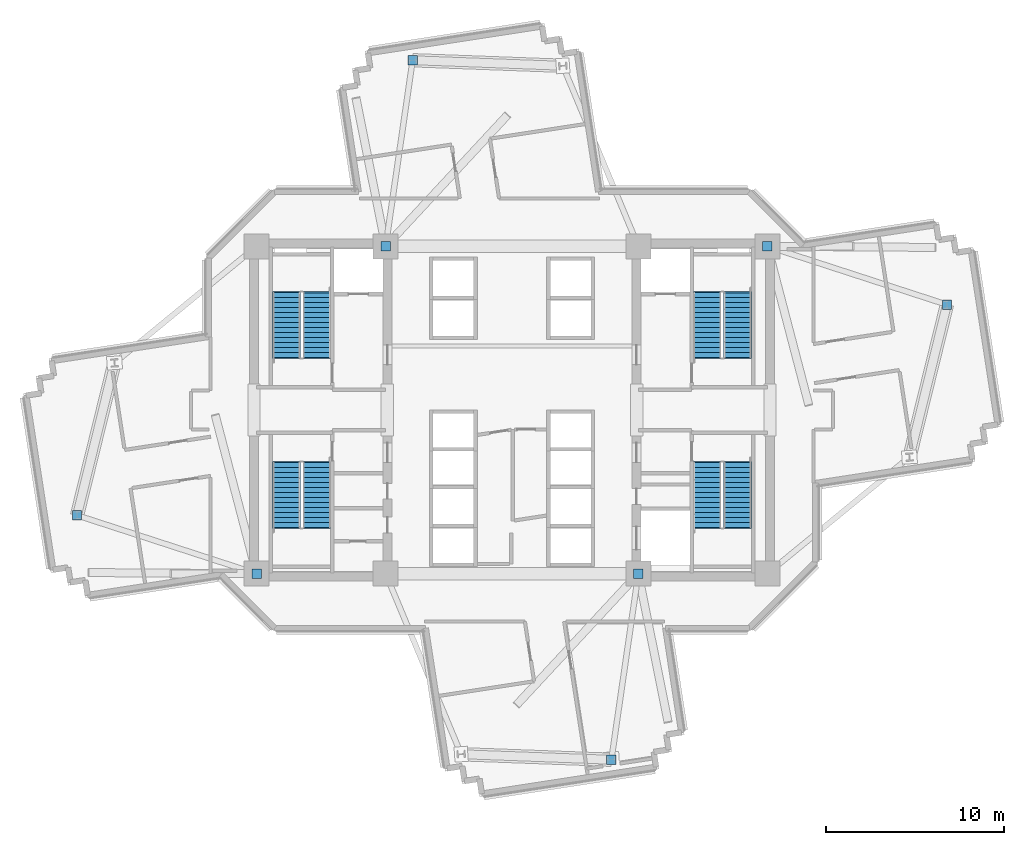
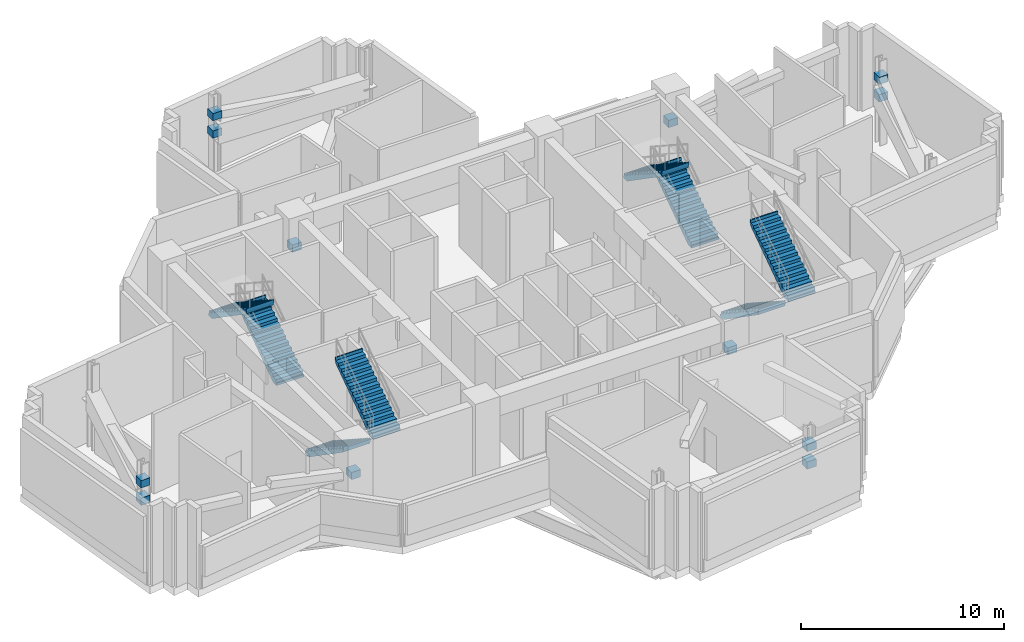
# One storey, part 6 of 10: 12 discrete accessories, 8 stair flights, 4 elements without a shape of their own.
"""IFC4 building model written with IfcOpenShell, lengths in metres."""

from ifc_helpers import new_model, si_unit, direction, frame, origin, origin_2d, place, context, subcontext, project, spatial, polyline, rectangle, outline, extrude, source, transform, mapped, material, type_object, element, aggregate, save


model = new_model("IFC4")

# Units and contexts
model_context = context("Model", 3, precision=1e-05, world=origin(), true_north=direction((0.0, 1.0)))
body_context = subcontext(model_context, "Body", "Model", "MODEL_VIEW")
ifc_project = project(units=[si_unit("LENGTHUNIT", "METRE"), si_unit("AREAUNIT", "SQUARE_METRE"), si_unit("VOLUMEUNIT", "CUBIC_METRE"), si_unit("PLANEANGLEUNIT", "RADIAN"), si_unit("MASSUNIT", "GRAM", prefix="KILO")], contexts=[model_context])

# Site, building, storey
site_placement = place(None, origin())
site = spatial("IfcSite", under=ifc_project, at=site_placement, CompositionType="ELEMENT")
building_placement = place(site_placement, origin())
building = spatial("IfcBuilding", under=site, at=building_placement, Name="Zahravan Cultural Tower", CompositionType="ELEMENT")
storey_placement = place(building_placement, frame((0.0, 0.0, 125.699951171875)))
storey = spatial("IfcBuildingStorey", under=building, at=storey_placement, Name="L28", CompositionType="ELEMENT", Elevation=125.699951171875)

# Stair, stair flights
ifc_material_1 = material(Name="Concrete C45/55", Category="concrete")
stair_type = type_object("IfcStairType", Name="STR-DL-1550-510", PredefinedType="HALF_TURN_STAIR", material=ifc_material_1)
stair_1_placement = place(storey_placement, origin())
stair_1 = element("IfcStair", 1, at=stair_1_placement, inside=storey, type_object=stair_type, Name="L28 West Core North Exit Stair ST-W1", PredefinedType="HALF_TURN_STAIR")
stair_flight_type = type_object("IfcStairFlightType", Name="FLG-DL-1550-510", PredefinedType="STRAIGHT", material=ifc_material_1)
stair_flight_1_placement = place(storey_placement, frame((25.02490234375, 29.949951171875, 0.0), z_axis=(0.0, 0.0, 1.0), x_axis=(0.0, 1.0, 0.0)))
stair_flight_1 = element("IfcStairFlight", 2, at=stair_flight_1_placement, type_object=stair_flight_type, Name="ST-W1 flight 1", NumberOfRisers=14, NumberOfTreads=13, PredefinedType="STRAIGHT", RiserHeight=0.182142857, TreadLength=0.28, context=body_context, shape_type="SweptSolid", body=[
    extrude(outline(polyline([(-0.06494140625, -0.139892578125), (-0.06494140625, 0.0), (0.0, 0.0), (0.0, 0.18212890625), (0.280029296875, 0.18212890625), (0.280029296875, 0.3642578125), (0.56005859375, 0.3642578125), (0.56005859375, 0.54638671875), (0.840087890625, 0.54638671875), (0.840087890625, 0.728515625), (1.1201171875, 0.728515625), (1.1201171875, 0.91064453125), (1.39990234375, 0.91064453125), (1.39990234375, 1.0927734375), (1.679931640625, 1.0927734375), (1.679931640625, 1.27490234375), (1.9599609375, 1.27490234375), (1.9599609375, 1.45703125), (2.239990234375, 1.45703125), (2.239990234375, 1.639404296875), (2.52001953125, 1.639404296875), (2.52001953125, 1.821533203125), (2.800048828125, 1.821533203125), (2.800048828125, 2.003662109375), (3.080078125, 2.003662109375), (3.080078125, 2.185791015625), (3.360107421875, 2.185791015625), (3.360107421875, 2.367919921875), (3.639892578125, 2.367919921875), (3.639892578125, 2.550048828125), (3.705078125, 2.550048828125), (3.705078125, 2.400146484375), (3.639892578125, 2.18896484375), (0.27490234375, -0.139892578125), (-0.06494140625, -0.139892578125)])), frame((0.0, 0.77490234375, 0.0), z_axis=(0.0, -1.0, 0.0), x_axis=(1.0, 0.0, 0.0)), (0.0, 0.0, 1.0), 1.550048828125),
])
stair_flight_2_placement = place(storey_placement, frame((23.324951171875, 33.590087890625, 2.550048828125), z_axis=(0.0, 0.0, 1.0), x_axis=(0.0, -1.0, 0.0)))
stair_flight_2 = element("IfcStairFlight", 3, at=stair_flight_2_placement, type_object=stair_flight_type, Name="ST-W1 flight 2", NumberOfRisers=14, NumberOfTreads=13, PredefinedType="STRAIGHT", RiserHeight=0.182142857, TreadLength=0.28, context=body_context, shape_type="SweptSolid", body=[
    extrude(outline(polyline([(-0.06494140625, -0.139892578125), (-0.06494140625, 0.0), (0.0, 0.0), (0.0, 0.18212890625), (0.280029296875, 0.18212890625), (0.280029296875, 0.3642578125), (0.56005859375, 0.3642578125), (0.56005859375, 0.54638671875), (0.840087890625, 0.54638671875), (0.840087890625, 0.728515625), (1.1201171875, 0.728515625), (1.1201171875, 0.91064453125), (1.39990234375, 0.91064453125), (1.39990234375, 1.0927734375), (1.679931640625, 1.0927734375), (1.679931640625, 1.27490234375), (1.9599609375, 1.27490234375), (1.9599609375, 1.45703125), (2.239990234375, 1.45703125), (2.239990234375, 1.639404296875), (2.52001953125, 1.639404296875), (2.52001953125, 1.821533203125), (2.800048828125, 1.821533203125), (2.800048828125, 2.003662109375), (3.080078125, 2.003662109375), (3.080078125, 2.185791015625), (3.360107421875, 2.185791015625), (3.360107421875, 2.367919921875), (3.639892578125, 2.367919921875), (3.639892578125, 2.550048828125), (3.705078125, 2.550048828125), (3.705078125, 2.400146484375), (3.639892578125, 2.18896484375), (0.27490234375, -0.139892578125), (-0.06494140625, -0.139892578125)])), frame((0.0, 0.77490234375, 0.0), z_axis=(0.0, -1.0, 0.0), x_axis=(1.0, 0.0, 0.0)), (0.0, 0.0, 1.0), 1.550048828125),
])
aggregate(stair_1, [stair_flight_1, stair_flight_2])

stair_2_placement = place(storey_placement, origin())
stair_2 = element("IfcStair", 4, at=stair_2_placement, inside=storey, type_object=stair_type, Name="L28 West Core South Exit Stair ST-W2", PredefinedType="HALF_TURN_STAIR")
stair_flight_3_placement = place(storey_placement, frame((23.324951171875, 24.050048828125, 0.0), z_axis=(0.0, 0.0, 1.0), x_axis=(0.0, -1.0, 0.0)))
stair_flight_3 = element("IfcStairFlight", 5, at=stair_flight_3_placement, type_object=stair_flight_type, Name="ST-W2 flight 1", NumberOfRisers=14, NumberOfTreads=13, PredefinedType="STRAIGHT", RiserHeight=0.182142857, TreadLength=0.28, context=body_context, shape_type="SweptSolid", body=[
    extrude(outline(polyline([(-0.06494140625, -0.139892578125), (-0.06494140625, 0.0), (0.0, 0.0), (0.0, 0.18212890625), (0.280029296875, 0.18212890625), (0.280029296875, 0.3642578125), (0.56005859375, 0.3642578125), (0.56005859375, 0.54638671875), (0.840087890625, 0.54638671875), (0.840087890625, 0.728515625), (1.1201171875, 0.728515625), (1.1201171875, 0.91064453125), (1.39990234375, 0.91064453125), (1.39990234375, 1.0927734375), (1.679931640625, 1.0927734375), (1.679931640625, 1.27490234375), (1.9599609375, 1.27490234375), (1.9599609375, 1.45703125), (2.239990234375, 1.45703125), (2.239990234375, 1.639404296875), (2.52001953125, 1.639404296875), (2.52001953125, 1.821533203125), (2.800048828125, 1.821533203125), (2.800048828125, 2.003662109375), (3.080078125, 2.003662109375), (3.080078125, 2.185791015625), (3.360107421875, 2.185791015625), (3.360107421875, 2.367919921875), (3.639892578125, 2.367919921875), (3.639892578125, 2.550048828125), (3.705078125, 2.550048828125), (3.705078125, 2.400146484375), (3.639892578125, 2.18896484375), (0.27490234375, -0.139892578125), (-0.06494140625, -0.139892578125)])), frame((0.0, 0.77490234375, 0.0), z_axis=(0.0, -1.0, 0.0), x_axis=(1.0, 0.0, 0.0)), (0.0, 0.0, 1.0), 1.550048828125),
])
stair_flight_4_placement = place(storey_placement, frame((25.02490234375, 20.409912109375, 2.550048828125), z_axis=(0.0, 0.0, 1.0), x_axis=(0.0, 1.0, 0.0)))
stair_flight_4 = element("IfcStairFlight", 6, at=stair_flight_4_placement, type_object=stair_flight_type, Name="ST-W2 flight 2", NumberOfRisers=14, NumberOfTreads=13, PredefinedType="STRAIGHT", RiserHeight=0.182142857, TreadLength=0.28, context=body_context, shape_type="SweptSolid", body=[
    extrude(outline(polyline([(-0.06494140625, -0.139892578125), (-0.06494140625, 0.0), (0.0, 0.0), (0.0, 0.18212890625), (0.280029296875, 0.18212890625), (0.280029296875, 0.3642578125), (0.56005859375, 0.3642578125), (0.56005859375, 0.54638671875), (0.840087890625, 0.54638671875), (0.840087890625, 0.728515625), (1.1201171875, 0.728515625), (1.1201171875, 0.91064453125), (1.39990234375, 0.91064453125), (1.39990234375, 1.0927734375), (1.679931640625, 1.0927734375), (1.679931640625, 1.27490234375), (1.9599609375, 1.27490234375), (1.9599609375, 1.45703125), (2.239990234375, 1.45703125), (2.239990234375, 1.639404296875), (2.52001953125, 1.639404296875), (2.52001953125, 1.821533203125), (2.800048828125, 1.821533203125), (2.800048828125, 2.003662109375), (3.080078125, 2.003662109375), (3.080078125, 2.185791015625), (3.360107421875, 2.185791015625), (3.360107421875, 2.367919921875), (3.639892578125, 2.367919921875), (3.639892578125, 2.550048828125), (3.705078125, 2.550048828125), (3.705078125, 2.400146484375), (3.639892578125, 2.18896484375), (0.27490234375, -0.139892578125), (-0.06494140625, -0.139892578125)])), frame((0.0, 0.77490234375, 0.0), z_axis=(0.0, -1.0, 0.0), x_axis=(1.0, 0.0, 0.0)), (0.0, 0.0, 1.0), 1.550048828125),
])
aggregate(stair_2, [stair_flight_3, stair_flight_4])

stair_3_placement = place(storey_placement, origin())
stair_3 = element("IfcStair", 7, at=stair_3_placement, inside=storey, type_object=stair_type, Name="L28 East Core North Exit Stair ST-E1", PredefinedType="HALF_TURN_STAIR")
stair_flight_5_placement = place(storey_placement, frame((48.675048828125, 29.949951171875, 0.0), z_axis=(0.0, 0.0, 1.0), x_axis=(0.0, 1.0, 0.0)))
stair_flight_5 = element("IfcStairFlight", 8, at=stair_flight_5_placement, type_object=stair_flight_type, Name="ST-E1 flight 1", NumberOfRisers=14, NumberOfTreads=13, PredefinedType="STRAIGHT", RiserHeight=0.182142857, TreadLength=0.28, context=body_context, shape_type="SweptSolid", body=[
    extrude(outline(polyline([(-0.06494140625, -0.139892578125), (-0.06494140625, 0.0), (0.0, 0.0), (0.0, 0.18212890625), (0.280029296875, 0.18212890625), (0.280029296875, 0.3642578125), (0.56005859375, 0.3642578125), (0.56005859375, 0.54638671875), (0.840087890625, 0.54638671875), (0.840087890625, 0.728515625), (1.1201171875, 0.728515625), (1.1201171875, 0.91064453125), (1.39990234375, 0.91064453125), (1.39990234375, 1.0927734375), (1.679931640625, 1.0927734375), (1.679931640625, 1.27490234375), (1.9599609375, 1.27490234375), (1.9599609375, 1.45703125), (2.239990234375, 1.45703125), (2.239990234375, 1.639404296875), (2.52001953125, 1.639404296875), (2.52001953125, 1.821533203125), (2.800048828125, 1.821533203125), (2.800048828125, 2.003662109375), (3.080078125, 2.003662109375), (3.080078125, 2.185791015625), (3.360107421875, 2.185791015625), (3.360107421875, 2.367919921875), (3.639892578125, 2.367919921875), (3.639892578125, 2.550048828125), (3.705078125, 2.550048828125), (3.705078125, 2.400146484375), (3.639892578125, 2.18896484375), (0.27490234375, -0.139892578125), (-0.06494140625, -0.139892578125)])), frame((0.0, 0.77490234375, 0.0), z_axis=(0.0, -1.0, 0.0), x_axis=(1.0, 0.0, 0.0)), (0.0, 0.0, 1.0), 1.550048828125),
])
stair_flight_6_placement = place(storey_placement, frame((46.97509765625, 33.590087890625, 2.550048828125), z_axis=(0.0, 0.0, 1.0), x_axis=(0.0, -1.0, 0.0)))
stair_flight_6 = element("IfcStairFlight", 9, at=stair_flight_6_placement, type_object=stair_flight_type, Name="ST-E1 flight 2", NumberOfRisers=14, NumberOfTreads=13, PredefinedType="STRAIGHT", RiserHeight=0.182142857, TreadLength=0.28, context=body_context, shape_type="SweptSolid", body=[
    extrude(outline(polyline([(-0.06494140625, -0.139892578125), (-0.06494140625, 0.0), (0.0, 0.0), (0.0, 0.18212890625), (0.280029296875, 0.18212890625), (0.280029296875, 0.3642578125), (0.56005859375, 0.3642578125), (0.56005859375, 0.54638671875), (0.840087890625, 0.54638671875), (0.840087890625, 0.728515625), (1.1201171875, 0.728515625), (1.1201171875, 0.91064453125), (1.39990234375, 0.91064453125), (1.39990234375, 1.0927734375), (1.679931640625, 1.0927734375), (1.679931640625, 1.27490234375), (1.9599609375, 1.27490234375), (1.9599609375, 1.45703125), (2.239990234375, 1.45703125), (2.239990234375, 1.639404296875), (2.52001953125, 1.639404296875), (2.52001953125, 1.821533203125), (2.800048828125, 1.821533203125), (2.800048828125, 2.003662109375), (3.080078125, 2.003662109375), (3.080078125, 2.185791015625), (3.360107421875, 2.185791015625), (3.360107421875, 2.367919921875), (3.639892578125, 2.367919921875), (3.639892578125, 2.550048828125), (3.705078125, 2.550048828125), (3.705078125, 2.400146484375), (3.639892578125, 2.18896484375), (0.27490234375, -0.139892578125), (-0.06494140625, -0.139892578125)])), frame((0.0, 0.77490234375, 0.0), z_axis=(0.0, -1.0, 0.0), x_axis=(1.0, 0.0, 0.0)), (0.0, 0.0, 1.0), 1.550048828125),
])
aggregate(stair_3, [stair_flight_5, stair_flight_6])

stair_4_placement = place(storey_placement, origin())
stair_4 = element("IfcStair", 10, at=stair_4_placement, inside=storey, type_object=stair_type, Name="L28 East Core South Exit Stair ST-E2", PredefinedType="HALF_TURN_STAIR")
stair_flight_7_placement = place(storey_placement, frame((46.97509765625, 24.050048828125, 0.0), z_axis=(0.0, 0.0, 1.0), x_axis=(0.0, -1.0, 0.0)))
stair_flight_7 = element("IfcStairFlight", 11, at=stair_flight_7_placement, type_object=stair_flight_type, Name="ST-E2 flight 1", NumberOfRisers=14, NumberOfTreads=13, PredefinedType="STRAIGHT", RiserHeight=0.182142857, TreadLength=0.28, context=body_context, shape_type="SweptSolid", body=[
    extrude(outline(polyline([(-0.06494140625, -0.139892578125), (-0.06494140625, 0.0), (0.0, 0.0), (0.0, 0.18212890625), (0.280029296875, 0.18212890625), (0.280029296875, 0.3642578125), (0.56005859375, 0.3642578125), (0.56005859375, 0.54638671875), (0.840087890625, 0.54638671875), (0.840087890625, 0.728515625), (1.1201171875, 0.728515625), (1.1201171875, 0.91064453125), (1.39990234375, 0.91064453125), (1.39990234375, 1.0927734375), (1.679931640625, 1.0927734375), (1.679931640625, 1.27490234375), (1.9599609375, 1.27490234375), (1.9599609375, 1.45703125), (2.239990234375, 1.45703125), (2.239990234375, 1.639404296875), (2.52001953125, 1.639404296875), (2.52001953125, 1.821533203125), (2.800048828125, 1.821533203125), (2.800048828125, 2.003662109375), (3.080078125, 2.003662109375), (3.080078125, 2.185791015625), (3.360107421875, 2.185791015625), (3.360107421875, 2.367919921875), (3.639892578125, 2.367919921875), (3.639892578125, 2.550048828125), (3.705078125, 2.550048828125), (3.705078125, 2.400146484375), (3.639892578125, 2.18896484375), (0.27490234375, -0.139892578125), (-0.06494140625, -0.139892578125)])), frame((0.0, 0.77490234375, 0.0), z_axis=(0.0, -1.0, 0.0), x_axis=(1.0, 0.0, 0.0)), (0.0, 0.0, 1.0), 1.550048828125),
])
stair_flight_8_placement = place(storey_placement, frame((48.675048828125, 20.409912109375, 2.550048828125), z_axis=(0.0, 0.0, 1.0), x_axis=(0.0, 1.0, 0.0)))
stair_flight_8 = element("IfcStairFlight", 12, at=stair_flight_8_placement, type_object=stair_flight_type, Name="ST-E2 flight 2", NumberOfRisers=14, NumberOfTreads=13, PredefinedType="STRAIGHT", RiserHeight=0.182142857, TreadLength=0.28, context=body_context, shape_type="SweptSolid", body=[
    extrude(outline(polyline([(-0.06494140625, -0.139892578125), (-0.06494140625, 0.0), (0.0, 0.0), (0.0, 0.18212890625), (0.280029296875, 0.18212890625), (0.280029296875, 0.3642578125), (0.56005859375, 0.3642578125), (0.56005859375, 0.54638671875), (0.840087890625, 0.54638671875), (0.840087890625, 0.728515625), (1.1201171875, 0.728515625), (1.1201171875, 0.91064453125), (1.39990234375, 0.91064453125), (1.39990234375, 1.0927734375), (1.679931640625, 1.0927734375), (1.679931640625, 1.27490234375), (1.9599609375, 1.27490234375), (1.9599609375, 1.45703125), (2.239990234375, 1.45703125), (2.239990234375, 1.639404296875), (2.52001953125, 1.639404296875), (2.52001953125, 1.821533203125), (2.800048828125, 1.821533203125), (2.800048828125, 2.003662109375), (3.080078125, 2.003662109375), (3.080078125, 2.185791015625), (3.360107421875, 2.185791015625), (3.360107421875, 2.367919921875), (3.639892578125, 2.367919921875), (3.639892578125, 2.550048828125), (3.705078125, 2.550048828125), (3.705078125, 2.400146484375), (3.639892578125, 2.18896484375), (0.27490234375, -0.139892578125), (-0.06494140625, -0.139892578125)])), frame((0.0, 0.77490234375, 0.0), z_axis=(0.0, -1.0, 0.0), x_axis=(1.0, 0.0, 0.0)), (0.0, 0.0, 1.0), 1.550048828125),
])
aggregate(stair_4, [stair_flight_7, stair_flight_8])

# Discrete accessories
ifc_material_2 = material(Name="Steel ASTM A572 Grade 50", Category="steel")
discrete_accessory_type = type_object("IfcDiscreteAccessoryType", Name="ACC-BRACE-GUSSET", PredefinedType="BRACKET", material=ifc_material_2)
shared_shape = source(origin(), body_context, "Body", "SweptSolid", [
    extrude(rectangle(XDim=0.52001953125, YDim=0.52001953125, at=origin_2d()), origin(), (0.0, 0.0, 1.0), 0.43994140625),
])
for number, where, z_axis, x_axis, name in (
    (13, (41.5849609375, 7.341796875, 3.72998046875), (0.0, 0.0, 1.0), (1.0, 0.0, 0.0), "L28 Brace End Gusset Connection 017"),
    (14, (41.5849609375, 7.341796875, 2.68017578125), (0.0, 0.0, 1.0), (1.0, 0.0, 0.0), "L28 Brace End Gusset Connection 018"),
    (15, (60.446533203125, 32.919677734375, 3.72998046875), (0.0, 0.0, 1.0), (1.0, 0.0, 0.0), "L28 Brace End Gusset Connection 019"),
    (16, (60.446533203125, 32.919677734375, 2.68017578125), (0.0, 0.0, 1.0), (1.0, 0.0, 0.0), "L28 Brace End Gusset Connection 020"),
    (17, (30.4150390625, 46.658203125, 3.72998046875), (0.0, 0.0, 1.0), (1.0, 0.0, 0.0), "L28 Brace End Gusset Connection 021"),
    (18, (30.4150390625, 46.658203125, 2.68017578125), (0.0, 0.0, 1.0), (1.0, 0.0, 0.0), "L28 Brace End Gusset Connection 022"),
    (19, (11.553466796875, 21.080322265625, 3.72998046875), (0.0, 0.0, 1.0), (1.0, 0.0, 0.0), "L28 Brace End Gusset Connection 023"),
    (20, (11.553466796875, 21.080322265625, 2.68017578125), (0.0, 0.0, 1.0), (1.0, 0.0, 0.0), "L28 Brace End Gusset Connection 024"),
    (21, (50.35009765625, 36.199951171875, 2.68017578125), (0.0, 0.0, 1.0), (1.0, 0.0, 0.0), "L28 Brace End Gusset Connection 025"),
    (22, (28.89990234375, 36.199951171875, 2.68017578125), (0.0, 0.0, 1.0), (1.0, 0.0, 0.0), "L28 Brace End Gusset Connection 026"),
    (23, (21.64990234375, 17.800048828125, 2.68017578125), (0.0, 0.0, 1.0), (1.0, 0.0, 0.0), "L28 Brace End Gusset Connection 027"),
    (24, (43.10009765625, 17.800048828125, 2.68017578125), (0.0, 0.0, 1.0), (1.0, 0.0, 0.0), "L28 Brace End Gusset Connection 028"),
):
    element("IfcDiscreteAccessory", number, at=place(storey_placement, frame(where, z_axis=z_axis, x_axis=x_axis)), inside=storey, type_object=discrete_accessory_type, Name=name, PredefinedType="BRACKET", context=body_context, shape_type="MappedRepresentation", body=[
        mapped(shared_shape, transform((0.0, 0.0, 0.0), x_axis=(1.0, 0.0, 0.0), y_axis=(0.0, 1.0, 0.0), z_axis=(0.0, 0.0, 1.0), scale=1.0)),
    ])

save(model, "model.ifc")
